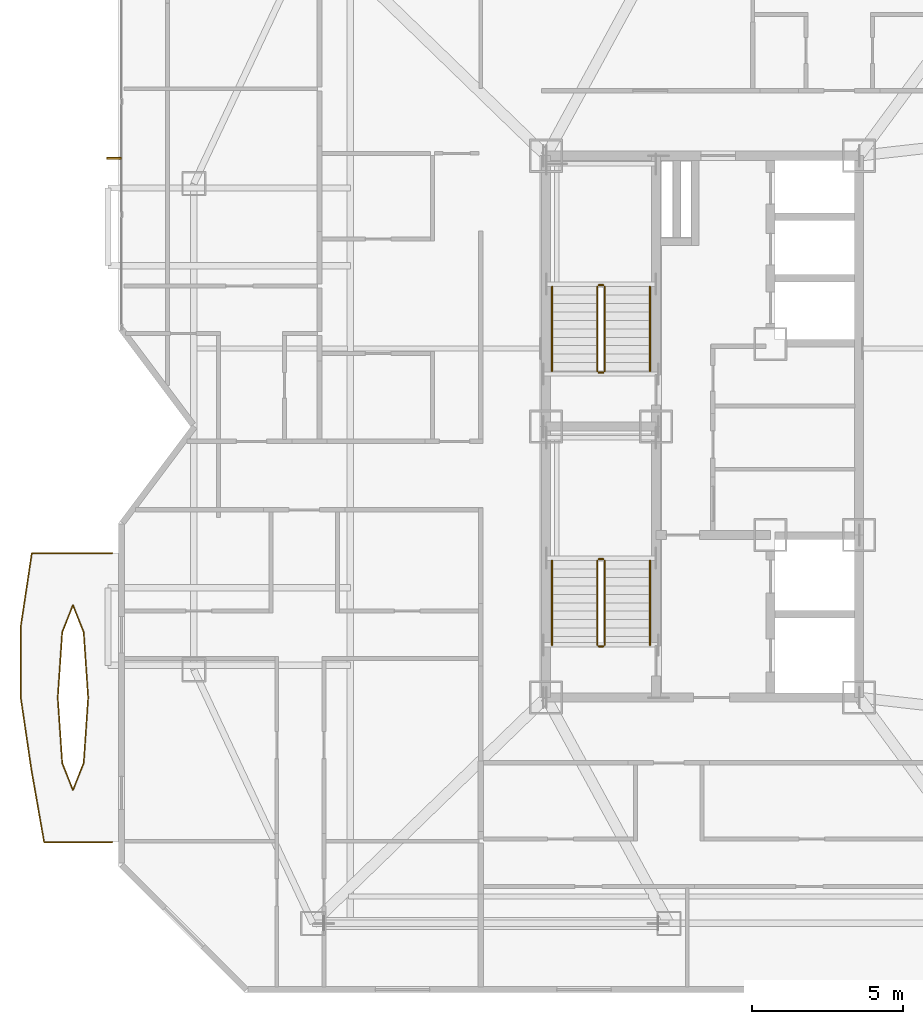
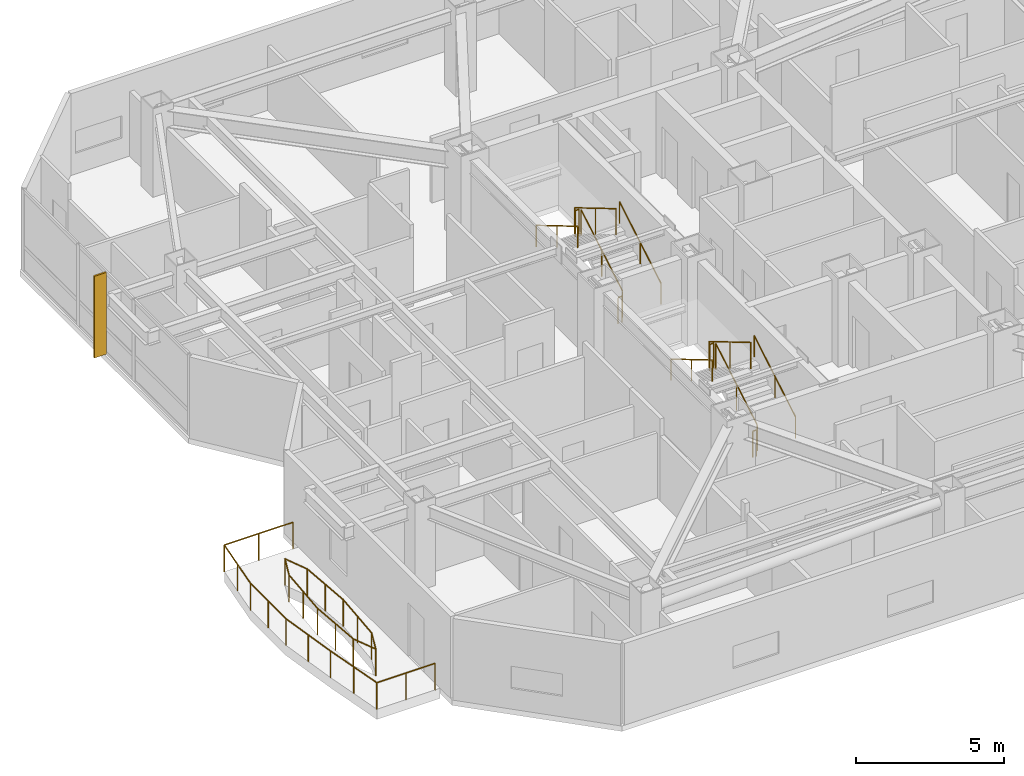
# One storey, part 19 of 20: 16 railings, 1 shading device.
"""IFC4 building model written with IfcOpenShell, lengths in metres."""

from ifc_helpers import new_model, si_unit, direction, frame, origin, origin_2d, place, context, subcontext, project, spatial, rectangle, circle, extrude, material, type_object, element, save


model = new_model("IFC4")

# Units and contexts
model_context = context("Model", 3, precision=1e-05, world=origin(), true_north=direction((0.0, 1.0)))
body_context = subcontext(model_context, "Body", "Model", "MODEL_VIEW")
ifc_project = project(units=[si_unit("LENGTHUNIT", "METRE"), si_unit("AREAUNIT", "SQUARE_METRE"), si_unit("VOLUMEUNIT", "CUBIC_METRE"), si_unit("PLANEANGLEUNIT", "RADIAN"), si_unit("MASSUNIT", "GRAM", prefix="KILO")], contexts=[model_context])

# Site, building, storey
site_placement = place(None, origin())
site = spatial("IfcSite", under=ifc_project, at=site_placement, CompositionType="ELEMENT")
building_placement = place(site_placement, origin())
building = spatial("IfcBuilding", under=site, at=building_placement, Name="Khamvora Tower", CompositionType="ELEMENT")
storey_placement = place(building_placement, frame((0.0, 0.0, 203.35009765625)))
storey = spatial("IfcBuildingStorey", under=building, at=storey_placement, Name="L52", CompositionType="ELEMENT", Elevation=203.35009765625)

# Railings
ifc_material_1 = material(Name="Stainless Steel 316 and Laminated Glass", Category="steel")
railing_type_1 = type_object("IfcRailingType", Name="RAL-GAL-1120", PredefinedType="GUARDRAIL", material=ifc_material_1)
railing_1_placement = place(storey_placement, frame((14.60009765625, 14.199951171875, 0.0)))
element("IfcRailing", 1, at=railing_1_placement, inside=storey, type_object=railing_type_1, Name="L52 lens gallery south perimeter guardrail WL1", PredefinedType="GUARDRAIL", context=body_context, shape_type="SweptSolid", body=[
    extrude(circle(Radius=0.02392578125, at=origin_2d()), frame((0.0, 0.0, 1.09619140625), z_axis=(-1.0, 0.0, 0.0), x_axis=(0.0, -1.0, 0.0)), (0.0, 0.0, 1.0), 2.273193359375),
    extrude(circle(Radius=0.02392578125, at=origin_2d()), frame((-2.273193359375, 0.0, 1.09619140625), z_axis=(-0.173505303947, 0.984832934818, 0.0), x_axis=(-0.984832934818, -0.173505303947, 0.0)), (0.0, 0.0, 1.0), 2.43701171875),
    extrude(circle(Radius=0.02392578125, at=origin_2d()), frame((-2.696044921875, 2.400146484375, 1.09619140625), z_axis=(-0.145928579368, 0.989295127716, 0.0), x_axis=(-0.989295127716, -0.145928579368, 0.0)), (0.0, 0.0, 1.0), 2.42578125),
    extrude(circle(Radius=0.02099609375, at=origin_2d()), origin(), (0.0, 0.0, 1.0), 1.072021484375),
    extrude(circle(Radius=0.02099609375, at=origin_2d()), frame((-1.13671875, 0.0, 0.0)), (0.0, 0.0, 1.0), 1.072021484375),
    extrude(circle(Radius=0.02099609375, at=origin_2d()), frame((-2.273193359375, 0.0, 0.0)), (0.0, 0.0, 1.0), 1.072021484375),
    extrude(circle(Radius=0.02099609375, at=origin_2d()), frame((-2.484619140625, 1.2001953125, 0.0)), (0.0, 0.0, 1.0), 1.072021484375),
    extrude(circle(Radius=0.02099609375, at=origin_2d()), frame((-2.696044921875, 2.400146484375, 0.0)), (0.0, 0.0, 1.0), 1.072021484375),
    extrude(circle(Radius=0.02099609375, at=origin_2d()), frame((-2.873046875, 3.60009765625, 0.0)), (0.0, 0.0, 1.0), 1.072021484375),
    extrude(circle(Radius=0.02099609375, at=origin_2d()), frame((-3.050048828125, 4.800048828125, 0.0)), (0.0, 0.0, 1.0), 1.072021484375),
])
railing_2_placement = place(storey_placement, frame((11.550048828125, 19.0, 0.0)))
element("IfcRailing", 2, at=railing_2_placement, inside=storey, type_object=railing_type_1, Name="L52 lens gallery north perimeter guardrail WL1", PredefinedType="GUARDRAIL", context=body_context, shape_type="SweptSolid", body=[
    extrude(circle(Radius=0.02392578125, at=origin_2d()), frame((0.0, 0.0, 1.09619140625), z_axis=(0.002441498318, 0.999997019539, 0.0), x_axis=(-0.999997019539, 0.002441498318, 0.0)), (0.0, 0.0, 1.0), 2.39990234375),
    extrude(circle(Radius=0.02392578125, at=origin_2d()), frame((0.005859375, 2.39990234375, 1.09619140625), z_axis=(0.149161773105, 0.988812806068, 0.0), x_axis=(-0.988812806068, 0.149161773105, 0.0)), (0.0, 0.0, 1.0), 2.42724609375),
    extrude(circle(Radius=0.02392578125, at=origin_2d()), frame((0.367919921875, 4.800048828125, 1.09619140625), z_axis=(1.0, 0.0, 0.0), x_axis=(0.0, 1.0, 0.0)), (0.0, 0.0, 1.0), 2.68212890625),
    extrude(circle(Radius=0.02099609375, at=origin_2d()), origin(), (0.0, 0.0, 1.0), 1.072021484375),
    extrude(circle(Radius=0.02099609375, at=origin_2d()), frame((0.0029296875, 1.199951171875, 0.0)), (0.0, 0.0, 1.0), 1.072021484375),
    extrude(circle(Radius=0.02099609375, at=origin_2d()), frame((0.005859375, 2.39990234375, 0.0)), (0.0, 0.0, 1.0), 1.072021484375),
    extrude(circle(Radius=0.02099609375, at=origin_2d()), frame((0.18701171875, 3.60009765625, 0.0)), (0.0, 0.0, 1.0), 1.072021484375),
    extrude(circle(Radius=0.02099609375, at=origin_2d()), frame((0.367919921875, 4.800048828125, 0.0)), (0.0, 0.0, 1.0), 1.072021484375),
    extrude(circle(Radius=0.02099609375, at=origin_2d()), frame((1.708984375, 4.800048828125, 0.0)), (0.0, 0.0, 1.0), 1.072021484375),
    extrude(circle(Radius=0.02099609375, at=origin_2d()), frame((3.050048828125, 4.800048828125, 0.0)), (0.0, 0.0, 1.0), 1.072021484375),
])
railing_3_placement = place(storey_placement, frame((13.7890625, 19.0, 0.0)))
element("IfcRailing", 3, at=railing_3_placement, inside=storey, type_object=railing_type_1, Name="L52 lens gallery void guardrail WL1A", PredefinedType="GUARDRAIL", context=body_context, shape_type="SweptSolid", body=[
    extrude(circle(Radius=0.02392578125, at=origin_2d()), frame((0.0, 0.0, 1.09619140625), z_axis=(-0.067955394668, 0.997688360329, 0.0), x_axis=(-0.997688360329, -0.067955394668, 0.0)), (0.0, 0.0, 1.0), 2.17724609375),
    extrude(circle(Radius=0.02392578125, at=origin_2d()), frame((-0.14794921875, 2.172119140625, 1.09619140625), z_axis=(-0.368039364147, 0.929810209902, 0.0), x_axis=(-0.929810209902, -0.368039364147, 0.0)), (0.0, 0.0, 1.0), 0.9677734375),
    extrude(circle(Radius=0.02392578125, at=origin_2d()), frame((-0.504150390625, 3.072021484375, 1.09619140625), z_axis=(-0.367821247872, -0.92989651554, 0.0), x_axis=(0.92989651554, -0.367821247872, 0.0)), (0.0, 0.0, 1.0), 0.9677734375),
    extrude(circle(Radius=0.02392578125, at=origin_2d()), frame((-0.860107421875, 2.172119140625, 1.09619140625), z_axis=(-0.067955394668, -0.997688360329, 0.0), x_axis=(0.997688360329, -0.067955394668, 0.0)), (0.0, 0.0, 1.0), 2.17724609375),
    extrude(circle(Radius=0.02099609375, at=origin_2d()), origin(), (0.0, 0.0, 1.0), 1.072021484375),
    extrude(circle(Radius=0.02099609375, at=origin_2d()), frame((-0.073974609375, 1.0859375, 0.0)), (0.0, 0.0, 1.0), 1.072021484375),
    extrude(circle(Radius=0.02099609375, at=origin_2d()), frame((-0.14794921875, 2.172119140625, 0.0)), (0.0, 0.0, 1.0), 1.072021484375),
    extrude(circle(Radius=0.02099609375, at=origin_2d()), frame((-0.504150390625, 3.072021484375, 0.0)), (0.0, 0.0, 1.0), 1.072021484375),
    extrude(circle(Radius=0.02099609375, at=origin_2d()), frame((-0.860107421875, 2.172119140625, 0.0)), (0.0, 0.0, 1.0), 1.072021484375),
    extrude(circle(Radius=0.02099609375, at=origin_2d()), frame((-0.93408203125, 1.0859375, 0.0)), (0.0, 0.0, 1.0), 1.072021484375),
    extrude(circle(Radius=0.02099609375, at=origin_2d()), frame((-1.008056640625, 0.0, 0.0)), (0.0, 0.0, 1.0), 1.072021484375),
])
railing_4_placement = place(storey_placement, frame((12.781005859375, 19.0, 0.0)))
element("IfcRailing", 4, at=railing_4_placement, inside=storey, type_object=railing_type_1, Name="L52 lens gallery void guardrail WL1B", PredefinedType="GUARDRAIL", context=body_context, shape_type="SweptSolid", body=[
    extrude(circle(Radius=0.02392578125, at=origin_2d()), frame((0.0, 0.0, 1.09619140625), z_axis=(0.067955394668, -0.997688360329, 0.0), x_axis=(0.997688360329, 0.067955394668, 0.0)), (0.0, 0.0, 1.0), 2.17724609375),
    extrude(circle(Radius=0.02392578125, at=origin_2d()), frame((0.14794921875, -2.172119140625, 1.09619140625), z_axis=(0.367821247872, -0.92989651554, 0.0), x_axis=(0.92989651554, 0.367821247872, 0.0)), (0.0, 0.0, 1.0), 0.9677734375),
    extrude(circle(Radius=0.02392578125, at=origin_2d()), frame((0.50390625, -3.072021484375, 1.09619140625), z_axis=(0.368039364147, 0.929810209902, 0.0), x_axis=(-0.929810209902, 0.368039364147, 0.0)), (0.0, 0.0, 1.0), 0.9677734375),
    extrude(circle(Radius=0.02392578125, at=origin_2d()), frame((0.860107421875, -2.172119140625, 1.09619140625), z_axis=(0.067955394668, 0.997688360329, 0.0), x_axis=(-0.997688360329, 0.067955394668, 0.0)), (0.0, 0.0, 1.0), 2.17724609375),
    extrude(circle(Radius=0.02099609375, at=origin_2d()), origin(), (0.0, 0.0, 1.0), 1.072021484375),
    extrude(circle(Radius=0.02099609375, at=origin_2d()), frame((0.073974609375, -1.0859375, 0.0)), (0.0, 0.0, 1.0), 1.072021484375),
    extrude(circle(Radius=0.02099609375, at=origin_2d()), frame((0.14794921875, -2.172119140625, 0.0)), (0.0, 0.0, 1.0), 1.072021484375),
    extrude(circle(Radius=0.02099609375, at=origin_2d()), frame((0.50390625, -3.072021484375, 0.0)), (0.0, 0.0, 1.0), 1.072021484375),
    extrude(circle(Radius=0.02099609375, at=origin_2d()), frame((0.860107421875, -2.172119140625, 0.0)), (0.0, 0.0, 1.0), 1.072021484375),
    extrude(circle(Radius=0.02099609375, at=origin_2d()), frame((0.93408203125, -1.0859375, 0.0)), (0.0, 0.0, 1.0), 1.072021484375),
    extrude(circle(Radius=0.02099609375, at=origin_2d()), frame((1.008056640625, 0.0, 0.0)), (0.0, 0.0, 1.0), 1.072021484375),
])
ifc_material_2 = material(Name="Brushed Stainless Steel 316", Category="steel")
railing_type_2 = type_object("IfcRailingType", Name="RAL-HDR-920", PredefinedType="HANDRAIL", material=ifc_material_2)
railing_5_placement = place(storey_placement, frame((32.449951171875, 20.75, 0.165771484375)))
element("IfcRailing", 5, at=railing_5_placement, inside=storey, type_object=railing_type_2, Name="L52 ST-01 stair handrail 1", PredefinedType="HANDRAIL", context=body_context, shape_type="SweptSolid", body=[
    extrude(circle(Radius=0.02392578125, at=origin_2d()), frame((0.0, 0.0, 0.8759765625), z_axis=(0.0, 0.860306154799, 0.50977771628), x_axis=(-1.0, 0.0, 0.0)), (0.0, 0.0, 1.0), 3.254638671875),
    extrude(circle(Radius=0.02099609375, at=origin_2d()), origin(), (0.0, 0.0, 1.0), 0.851806640625),
    extrude(circle(Radius=0.02099609375, at=origin_2d()), frame((0.0, 1.39990234375, 0.82958984375)), (0.0, 0.0, 1.0), 0.851806640625),
    extrude(circle(Radius=0.02099609375, at=origin_2d()), frame((0.0, 2.800048828125, 1.6591796875)), (0.0, 0.0, 1.0), 0.851806640625),
])
railing_6_placement = place(storey_placement, frame((29.199951171875, 23.550048828125, 1.99072265625)))
element("IfcRailing", 6, at=railing_6_placement, inside=storey, type_object=railing_type_2, Name="L52 ST-01 stair handrail 2", PredefinedType="HANDRAIL", context=body_context, shape_type="SweptSolid", body=[
    extrude(circle(Radius=0.02392578125, at=origin_2d()), frame((0.0, 0.0, 0.8759765625), z_axis=(0.0, -0.860306154799, 0.50977771628), x_axis=(1.0, 0.0, 0.0)), (0.0, 0.0, 1.0), 3.254638671875),
    extrude(circle(Radius=0.02099609375, at=origin_2d()), origin(), (0.0, 0.0, 1.0), 0.851806640625),
    extrude(circle(Radius=0.02099609375, at=origin_2d()), frame((0.0, -1.39990234375, 0.82958984375)), (0.0, 0.0, 1.0), 0.851806640625),
    extrude(circle(Radius=0.02099609375, at=origin_2d()), frame((0.0, -2.800048828125, 1.6591796875)), (0.0, 0.0, 1.0), 0.851806640625),
])
railing_7_placement = place(storey_placement, frame((32.449951171875, 29.85009765625, 0.165771484375)))
element("IfcRailing", 7, at=railing_7_placement, inside=storey, type_object=railing_type_2, Name="L52 ST-02 stair handrail 1", PredefinedType="HANDRAIL", context=body_context, shape_type="SweptSolid", body=[
    extrude(circle(Radius=0.02392578125, at=origin_2d()), frame((0.0, 0.0, 0.8759765625), z_axis=(0.0, 0.860286659441, 0.509810615413), x_axis=(-1.0, 0.0, 0.0)), (0.0, 0.0, 1.0), 3.25439453125),
    extrude(circle(Radius=0.02099609375, at=origin_2d()), origin(), (0.0, 0.0, 1.0), 0.851806640625),
    extrude(circle(Radius=0.02099609375, at=origin_2d()), frame((0.0, 1.39990234375, 0.82958984375)), (0.0, 0.0, 1.0), 0.851806640625),
    extrude(circle(Radius=0.02099609375, at=origin_2d()), frame((0.0, 2.7998046875, 1.6591796875)), (0.0, 0.0, 1.0), 0.851806640625),
])
railing_8_placement = place(storey_placement, frame((29.199951171875, 32.64990234375, 1.99072265625)))
element("IfcRailing", 8, at=railing_8_placement, inside=storey, type_object=railing_type_2, Name="L52 ST-02 stair handrail 2", PredefinedType="HANDRAIL", context=body_context, shape_type="SweptSolid", body=[
    extrude(circle(Radius=0.02392578125, at=origin_2d()), frame((0.0, 0.0, 0.8759765625), z_axis=(0.0, -0.860286659441, 0.509810615413), x_axis=(1.0, 0.0, 0.0)), (0.0, 0.0, 1.0), 3.25439453125),
    extrude(circle(Radius=0.02099609375, at=origin_2d()), origin(), (0.0, 0.0, 1.0), 0.851806640625),
    extrude(circle(Radius=0.02099609375, at=origin_2d()), frame((0.0, -1.39990234375, 0.82958984375)), (0.0, 0.0, 1.0), 0.851806640625),
    extrude(circle(Radius=0.02099609375, at=origin_2d()), frame((0.0, -2.7998046875, 1.6591796875)), (0.0, 0.0, 1.0), 0.851806640625),
])
ifc_material_3 = material(Name="Stainless Steel 316", Category="steel")
railing_type_3 = type_object("IfcRailingType", Name="RAL-STG-1100", PredefinedType="GUARDRAIL", material=ifc_material_3)
railing_9_placement = place(storey_placement, frame((30.949951171875, 20.75, 0.165771484375)))
element("IfcRailing", 9, at=railing_9_placement, inside=storey, type_object=railing_type_3, Name="L52 ST-01 stair guard 1", PredefinedType="GUARDRAIL", context=body_context, shape_type="SweptSolid", body=[
    extrude(circle(Radius=0.02392578125, at=origin_2d()), frame((0.0, 0.0, 1.076171875), z_axis=(0.0, 0.860306154799, 0.50977771628), x_axis=(-1.0, 0.0, 0.0)), (0.0, 0.0, 1.0), 3.254638671875),
    extrude(circle(Radius=0.02099609375, at=origin_2d()), origin(), (0.0, 0.0, 1.0), 1.052001953125),
    extrude(circle(Radius=0.02099609375, at=origin_2d()), frame((0.0, 1.39990234375, 0.82958984375)), (0.0, 0.0, 1.0), 1.052001953125),
    extrude(circle(Radius=0.02099609375, at=origin_2d()), frame((0.0, 2.800048828125, 1.6591796875)), (0.0, 0.0, 1.0), 1.052001953125),
])
railing_10_placement = place(storey_placement, frame((30.89990234375, 23.60009765625, 1.824951171875)))
element("IfcRailing", 10, at=railing_10_placement, inside=storey, type_object=railing_type_3, Name="L52 ST-01 stair guard 2", PredefinedType="GUARDRAIL", context=body_context, shape_type="SweptSolid", body=[
    extrude(circle(Radius=0.02392578125, at=origin_2d()), frame((0.0, 0.0, 1.076171875), z_axis=(-1.0, 0.0, 0.0), x_axis=(0.0, -1.0, 0.0)), (0.0, 0.0, 1.0), 0.14990234375),
    extrude(circle(Radius=0.02099609375, at=origin_2d()), origin(), (0.0, 0.0, 1.0), 1.052001953125),
    extrude(circle(Radius=0.02099609375, at=origin_2d()), frame((-0.14990234375, 0.0, 0.0)), (0.0, 0.0, 1.0), 1.052001953125),
])
railing_11_placement = place(storey_placement, frame((30.699951171875, 23.550048828125, 1.99072265625)))
element("IfcRailing", 11, at=railing_11_placement, inside=storey, type_object=railing_type_3, Name="L52 ST-01 stair guard 3", PredefinedType="GUARDRAIL", context=body_context, shape_type="SweptSolid", body=[
    extrude(circle(Radius=0.02392578125, at=origin_2d()), frame((0.0, 0.0, 1.076171875), z_axis=(0.0, -0.860306154799, 0.50977771628), x_axis=(1.0, 0.0, 0.0)), (0.0, 0.0, 1.0), 3.254638671875),
    extrude(circle(Radius=0.02099609375, at=origin_2d()), origin(), (0.0, 0.0, 1.0), 1.052001953125),
    extrude(circle(Radius=0.02099609375, at=origin_2d()), frame((0.0, -1.39990234375, 0.82958984375)), (0.0, 0.0, 1.0), 1.052001953125),
    extrude(circle(Radius=0.02099609375, at=origin_2d()), frame((0.0, -2.800048828125, 1.6591796875)), (0.0, 0.0, 1.0), 1.052001953125),
])
railing_12_placement = place(storey_placement, frame((30.89990234375, 20.699951171875, 0.0)))
element("IfcRailing", 12, at=railing_12_placement, inside=storey, type_object=railing_type_3, Name="L52 ST-01 stair guard 4", PredefinedType="GUARDRAIL", context=body_context, shape_type="SweptSolid", body=[
    extrude(circle(Radius=0.02392578125, at=origin_2d()), frame((0.0, 0.0, 1.076171875), z_axis=(-1.0, 0.0, 0.0), x_axis=(0.0, -1.0, 0.0)), (0.0, 0.0, 1.0), 0.14990234375),
    extrude(circle(Radius=0.02099609375, at=origin_2d()), origin(), (0.0, 0.0, 1.0), 1.052001953125),
    extrude(circle(Radius=0.02099609375, at=origin_2d()), frame((-0.14990234375, 0.0, 0.0)), (0.0, 0.0, 1.0), 1.052001953125),
])
railing_13_placement = place(storey_placement, frame((30.949951171875, 29.85009765625, 0.165771484375)))
element("IfcRailing", 13, at=railing_13_placement, inside=storey, type_object=railing_type_3, Name="L52 ST-02 stair guard 1", PredefinedType="GUARDRAIL", context=body_context, shape_type="SweptSolid", body=[
    extrude(circle(Radius=0.02392578125, at=origin_2d()), frame((0.0, 0.0, 1.076171875), z_axis=(0.0, 0.860286659441, 0.509810615413), x_axis=(-1.0, 0.0, 0.0)), (0.0, 0.0, 1.0), 3.25439453125),
    extrude(circle(Radius=0.02099609375, at=origin_2d()), origin(), (0.0, 0.0, 1.0), 1.052001953125),
    extrude(circle(Radius=0.02099609375, at=origin_2d()), frame((0.0, 1.39990234375, 0.82958984375)), (0.0, 0.0, 1.0), 1.052001953125),
    extrude(circle(Radius=0.02099609375, at=origin_2d()), frame((0.0, 2.7998046875, 1.6591796875)), (0.0, 0.0, 1.0), 1.052001953125),
])
railing_14_placement = place(storey_placement, frame((30.89990234375, 32.699951171875, 1.824951171875)))
element("IfcRailing", 14, at=railing_14_placement, inside=storey, type_object=railing_type_3, Name="L52 ST-02 stair guard 2", PredefinedType="GUARDRAIL", context=body_context, shape_type="SweptSolid", body=[
    extrude(circle(Radius=0.02392578125, at=origin_2d()), frame((0.0, 0.0, 1.076171875), z_axis=(-1.0, 0.0, 0.0), x_axis=(0.0, -1.0, 0.0)), (0.0, 0.0, 1.0), 0.14990234375),
    extrude(circle(Radius=0.02099609375, at=origin_2d()), origin(), (0.0, 0.0, 1.0), 1.052001953125),
    extrude(circle(Radius=0.02099609375, at=origin_2d()), frame((-0.14990234375, 0.0, 0.0)), (0.0, 0.0, 1.0), 1.052001953125),
])
railing_15_placement = place(storey_placement, frame((30.699951171875, 32.64990234375, 1.99072265625)))
element("IfcRailing", 15, at=railing_15_placement, inside=storey, type_object=railing_type_3, Name="L52 ST-02 stair guard 3", PredefinedType="GUARDRAIL", context=body_context, shape_type="SweptSolid", body=[
    extrude(circle(Radius=0.02392578125, at=origin_2d()), frame((0.0, 0.0, 1.076171875), z_axis=(0.0, -0.860286659441, 0.509810615413), x_axis=(1.0, 0.0, 0.0)), (0.0, 0.0, 1.0), 3.25439453125),
    extrude(circle(Radius=0.02099609375, at=origin_2d()), origin(), (0.0, 0.0, 1.0), 1.052001953125),
    extrude(circle(Radius=0.02099609375, at=origin_2d()), frame((0.0, -1.39990234375, 0.82958984375)), (0.0, 0.0, 1.0), 1.052001953125),
    extrude(circle(Radius=0.02099609375, at=origin_2d()), frame((0.0, -2.7998046875, 1.6591796875)), (0.0, 0.0, 1.0), 1.052001953125),
])
railing_16_placement = place(storey_placement, frame((30.89990234375, 29.800048828125, 0.0)))
element("IfcRailing", 16, at=railing_16_placement, inside=storey, type_object=railing_type_3, Name="L52 ST-02 stair guard 4", PredefinedType="GUARDRAIL", context=body_context, shape_type="SweptSolid", body=[
    extrude(circle(Radius=0.02392578125, at=origin_2d()), frame((0.0, 0.0, 1.076171875), z_axis=(-1.0, 0.0, 0.0), x_axis=(0.0, -1.0, 0.0)), (0.0, 0.0, 1.0), 0.14990234375),
    extrude(circle(Radius=0.02099609375, at=origin_2d()), origin(), (0.0, 0.0, 1.0), 1.052001953125),
    extrude(circle(Radius=0.02099609375, at=origin_2d()), frame((-0.14990234375, 0.0, 0.0)), (0.0, 0.0, 1.0), 1.052001953125),
])

# Shading device
ifc_material_4 = material(Name="Anodised Bronze Aluminium 6063-T6", Category="aluminium")
shading_device_type = type_object("IfcShadingDeviceType", Name="SHD-FIN-480", PredefinedType="USERDEFINED", material=ifc_material_4)
shading_device_placement = place(storey_placement, frame((14.64306640625, 36.9208984375, -0.000244140625), z_axis=(0.0, 0.0, 1.0), x_axis=(0.0, 1.0, 0.0)))
element("IfcShadingDevice", 17, at=shading_device_placement, inside=storey, type_object=shading_device_type, Name="L52 anodised bronze solar fin 05.01", ObjectType="FIN", PredefinedType="USERDEFINED", context=body_context, shape_type="SweptSolid", body=[
    extrude(rectangle(XDim=0.06494140625, YDim=0.47998046875, at=origin_2d()), origin(), (0.0, 0.0, 1.0), 3.3701171875),
])

save(model, "model.ifc")
